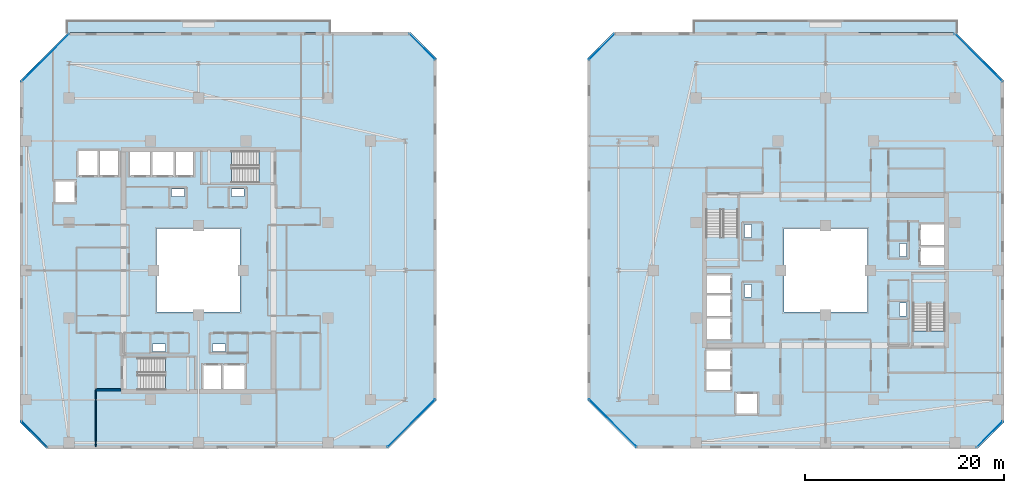
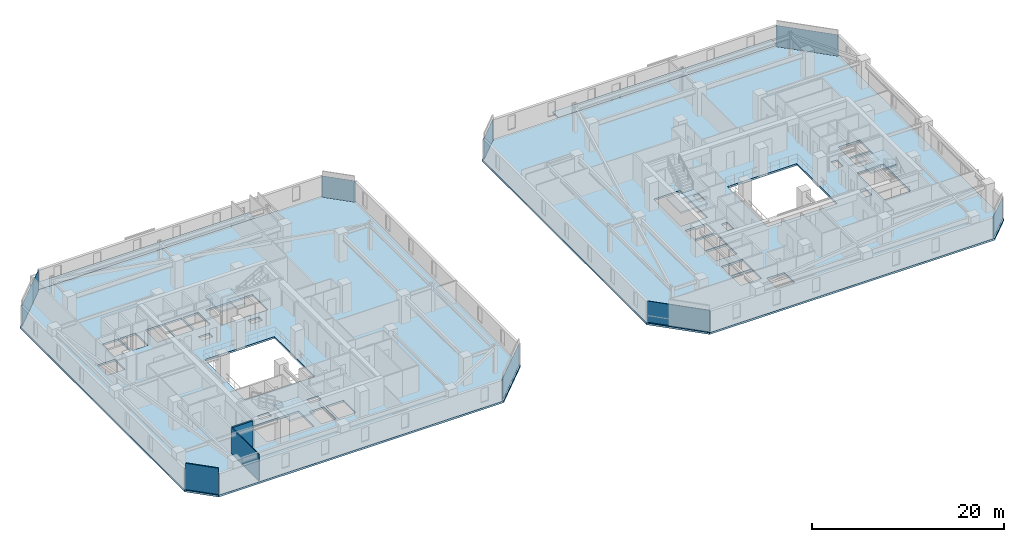
# One storey, part 18 of 33: 8 plates, 8 slabs, 3 walls, 12 elements without a shape of their own.
"""IFC4 building model written with IfcOpenShell, lengths in metres."""

from ifc_helpers import new_model, si_unit, direction, frame, frame_2d, origin, origin_2d, place, context, subcontext, project, spatial, polyline, rectangle, outline, extrude, material, layer, layer_set, type_object, element, aggregate, save


model = new_model("IFC4")

# Units and contexts
model_context = context("Model", 3, precision=1e-05, world=origin(), true_north=direction((0.0, 1.0)))
body_context = subcontext(model_context, "Body", "Model", "MODEL_VIEW")
ifc_project = project(units=[si_unit("LENGTHUNIT", "METRE"), si_unit("AREAUNIT", "SQUARE_METRE"), si_unit("VOLUMEUNIT", "CUBIC_METRE"), si_unit("PLANEANGLEUNIT", "RADIAN"), si_unit("MASSUNIT", "GRAM", prefix="KILO")], contexts=[model_context])

# Site, building, storey
site_placement = place(None, origin())
site = spatial("IfcSite", under=ifc_project, at=site_placement, CompositionType="ELEMENT")
building_placement = place(site_placement, origin())
building = spatial("IfcBuilding", under=site, at=building_placement, Name="Thornwick Lancets Civic Towers", CompositionType="ELEMENT")
storey_placement = place(building_placement, frame((0.0, 0.0, 192.89990234375)))
storey = spatial("IfcBuildingStorey", under=building, at=storey_placement, Name="L51", CompositionType="ELEMENT", Elevation=192.89990234375)

# Curtain wall, plate
ifc_material_1 = material(Name="Mid-zone chamfered-corner unitised glass curtain wall", Category="glass")
curtain_wall_type = type_object("IfcCurtainWallType", Name="CW_SYS_04", PredefinedType="NOTDEFINED", material=ifc_material_1)
curtain_wall_1_placement = place(storey_placement, origin())
curtain_wall_1 = element("IfcCurtainWall", 1, at=curtain_wall_1_placement, inside=storey, type_object=curtain_wall_type, Name="L51 Curtain Wall CW-L51-A-E1", PredefinedType="NOTDEFINED")
ifc_material_2 = material(Name="Low-e double glazing clear glass", Category="glass")
ifc_layer_1 = layer(ifc_material_2, 0.035888671875, Name="Low-e double glazing clear glass")
ifc_layer_set_1 = layer_set([ifc_layer_1], Name="Low-e double glazing clear glass")
plate_type = type_object("IfcPlateType", Name="CW_PNL_GLASS", PredefinedType="CURTAIN_PANEL", material=ifc_layer_set_1)
plate_1_placement = place(storey_placement, frame((46.8662109375, 11.6337890625, 0.0), z_axis=(0.0, 0.0, 1.0), x_axis=(0.707106781187, 0.707106781187, 0.0)))
plate_1 = element("IfcPlate", 2, at=plate_1_placement, type_object=plate_type, Name="CW-L51-A-E1 Panel 0", PredefinedType="CURTAIN_PANEL", context=body_context, shape_type="SweptSolid", body=[
    extrude(rectangle(XDim=6.759033203125, YDim=0.035888671875, at=origin_2d()), origin(), (0.0, 0.0, 1.0), 2.699951171875),
])
aggregate(curtain_wall_1, [plate_1])

curtain_wall_2_placement = place(storey_placement, origin())
curtain_wall_2 = element("IfcCurtainWall", 3, at=curtain_wall_2_placement, inside=storey, type_object=curtain_wall_type, Name="L51 Curtain Wall CW-L51-A-E3", PredefinedType="NOTDEFINED")
plate_2_placement = place(storey_placement, frame((47.972900390625, 49.472900390625, 0.0), z_axis=(0.0, 0.0, 1.0), x_axis=(-0.707106781187, 0.707106781187, 0.0)))
plate_2 = element("IfcPlate", 4, at=plate_2_placement, type_object=plate_type, Name="CW-L51-A-E3 Panel 0", PredefinedType="CURTAIN_PANEL", context=body_context, shape_type="SweptSolid", body=[
    extrude(rectangle(XDim=3.649169921875, YDim=0.035888671875, at=origin_2d()), origin(), (0.0, 0.0, 1.0), 2.699951171875),
])
aggregate(curtain_wall_2, [plate_2])

curtain_wall_3_placement = place(storey_placement, origin())
curtain_wall_3 = element("IfcCurtainWall", 5, at=curtain_wall_3_placement, inside=storey, type_object=curtain_wall_type, Name="L51 Curtain Wall CW-L51-A-E5", PredefinedType="NOTDEFINED")
plate_3_placement = place(storey_placement, frame((10.1337890625, 48.3662109375, 0.0), z_axis=(0.0, 0.0, 1.0), x_axis=(-0.707106781187, -0.707106781187, 0.0)))
plate_3 = element("IfcPlate", 6, at=plate_3_placement, type_object=plate_type, Name="CW-L51-A-E5 Panel 0", PredefinedType="CURTAIN_PANEL", context=body_context, shape_type="SweptSolid", body=[
    extrude(rectangle(XDim=6.759033203125, YDim=0.035888671875, at=origin_2d()), origin(), (0.0, 0.0, 1.0), 2.699951171875),
])
aggregate(curtain_wall_3, [plate_3])

curtain_wall_4_placement = place(storey_placement, origin())
curtain_wall_4 = element("IfcCurtainWall", 7, at=curtain_wall_4_placement, inside=storey, type_object=curtain_wall_type, Name="L51 Curtain Wall CW-L51-A-E7", PredefinedType="NOTDEFINED")
plate_4_placement = place(storey_placement, frame((9.027099609375, 10.527099609375, 0.0), z_axis=(0.0, 0.0, 1.0), x_axis=(0.707106781187, -0.707106781187, 0.0)))
plate_4 = element("IfcPlate", 8, at=plate_4_placement, type_object=plate_type, Name="CW-L51-A-E7 Panel 0", PredefinedType="CURTAIN_PANEL", context=body_context, shape_type="SweptSolid", body=[
    extrude(rectangle(XDim=3.649169921875, YDim=0.035888671875, at=origin_2d()), origin(), (0.0, 0.0, 1.0), 2.699951171875),
])
aggregate(curtain_wall_4, [plate_4])

curtain_wall_5_placement = place(storey_placement, origin())
curtain_wall_5 = element("IfcCurtainWall", 9, at=curtain_wall_5_placement, inside=storey, type_object=curtain_wall_type, Name="L51 Curtain Wall CW-L51-B-E1", PredefinedType="NOTDEFINED")
plate_5_placement = place(storey_placement, frame((104.972900390625, 10.527099609375, 0.0), z_axis=(0.0, 0.0, 1.0), x_axis=(0.707106781187, 0.707106781187, 0.0)))
plate_5 = element("IfcPlate", 10, at=plate_5_placement, type_object=plate_type, Name="CW-L51-B-E1 Panel 0", PredefinedType="CURTAIN_PANEL", context=body_context, shape_type="SweptSolid", body=[
    extrude(rectangle(XDim=3.649169921875, YDim=0.035888671875, at=origin_2d()), origin(), (0.0, 0.0, 1.0), 2.699951171875),
])
aggregate(curtain_wall_5, [plate_5])

curtain_wall_6_placement = place(storey_placement, origin())
curtain_wall_6 = element("IfcCurtainWall", 11, at=curtain_wall_6_placement, inside=storey, type_object=curtain_wall_type, Name="L51 Curtain Wall CW-L51-B-E3", PredefinedType="NOTDEFINED")
plate_6_placement = place(storey_placement, frame((103.8662109375, 48.3662109375, 0.0), z_axis=(0.0, 0.0, 1.0), x_axis=(-0.707106781187, 0.707106781187, 0.0)))
plate_6 = element("IfcPlate", 12, at=plate_6_placement, type_object=plate_type, Name="CW-L51-B-E3 Panel 0", PredefinedType="CURTAIN_PANEL", context=body_context, shape_type="SweptSolid", body=[
    extrude(rectangle(XDim=6.759033203125, YDim=0.035888671875, at=origin_2d()), origin(), (0.0, 0.0, 1.0), 2.699951171875),
])
aggregate(curtain_wall_6, [plate_6])

curtain_wall_7_placement = place(storey_placement, origin())
curtain_wall_7 = element("IfcCurtainWall", 13, at=curtain_wall_7_placement, inside=storey, type_object=curtain_wall_type, Name="L51 Curtain Wall CW-L51-B-E5", PredefinedType="NOTDEFINED")
plate_7_placement = place(storey_placement, frame((66.027099609375, 49.472900390625, 0.0), z_axis=(0.0, 0.0, 1.0), x_axis=(-0.707106781187, -0.707106781187, 0.0)))
plate_7 = element("IfcPlate", 14, at=plate_7_placement, type_object=plate_type, Name="CW-L51-B-E5 Panel 0", PredefinedType="CURTAIN_PANEL", context=body_context, shape_type="SweptSolid", body=[
    extrude(rectangle(XDim=3.649169921875, YDim=0.035888671875, at=origin_2d()), origin(), (0.0, 0.0, 1.0), 2.699951171875),
])
aggregate(curtain_wall_7, [plate_7])

curtain_wall_8_placement = place(storey_placement, origin())
curtain_wall_8 = element("IfcCurtainWall", 15, at=curtain_wall_8_placement, inside=storey, type_object=curtain_wall_type, Name="L51 Curtain Wall CW-L51-B-E7", PredefinedType="NOTDEFINED")
plate_8_placement = place(storey_placement, frame((67.1337890625, 11.6337890625, 0.0), z_axis=(0.0, 0.0, 1.0), x_axis=(0.707106781187, -0.707106781187, 0.0)))
plate_8 = element("IfcPlate", 16, at=plate_8_placement, type_object=plate_type, Name="CW-L51-B-E7 Panel 0", PredefinedType="CURTAIN_PANEL", context=body_context, shape_type="SweptSolid", body=[
    extrude(rectangle(XDim=6.759033203125, YDim=0.035888671875, at=origin_2d()), origin(), (0.0, 0.0, 1.0), 2.699951171875),
])
aggregate(curtain_wall_8, [plate_8])

# Slabs
ifc_material_3 = material(Name="Post-tensioned concrete C40/50", Category="concrete")
ifc_layer_2 = layer(ifc_material_3, 0.199951171875, Name="Post-tensioned concrete C40/50")
ifc_layer_set_2 = layer_set([ifc_layer_2], Name="Post-tensioned concrete C40/50")
slab_type_1 = type_object("IfcSlabType", Name="SLAB_BALCONY_200", PredefinedType="FLOOR", material=ifc_layer_set_2)
slab_1_placement = place(storey_placement, frame((0.0, 0.0, -0.199951171875)))
element("IfcSlab", 17, at=slab_1_placement, inside=storey, type_object=slab_type_1, Name="L51 Tower A Planted Balcony Slab N", PredefinedType="FLOOR", context=body_context, shape_type="SweptSolid", body=[
    extrude(outline(polyline([(12.300048828125, 50.89990234375), (38.699951171875, 50.89990234375), (38.699951171875, 52.14990234375), (12.300048828125, 52.14990234375), (12.300048828125, 50.89990234375)])), origin(), (0.0, 0.0, 1.0), 0.199951171875),
])
slab_2_placement = place(storey_placement, frame((0.0, 0.0, -0.199951171875)))
element("IfcSlab", 18, at=slab_2_placement, inside=storey, type_object=slab_type_1, Name="L51 Tower B Planted Balcony Slab N", PredefinedType="FLOOR", context=body_context, shape_type="SweptSolid", body=[
    extrude(outline(polyline([(75.300048828125, 50.89990234375), (101.699951171875, 50.89990234375), (101.699951171875, 52.14990234375), (75.300048828125, 52.14990234375), (75.300048828125, 50.89990234375)])), origin(), (0.0, 0.0, 1.0), 0.199951171875),
])

# Stair, slab
ifc_material_4 = material(Name="Concrete C40/50", Category="concrete")
stair_type = type_object("IfcStairType", Name="STAIR_DL_3600", PredefinedType="HALF_TURN_STAIR", material=ifc_material_4)
stair_1_placement = place(storey_placement, origin())
stair_1 = element("IfcStair", 19, at=stair_1_placement, inside=storey, type_object=stair_type, Name="L51 Tower A South Exit Stair ST-A1", PredefinedType="HALF_TURN_STAIR")
ifc_layer_3 = layer(ifc_material_4, 0.25, Name="Concrete C40/50")
ifc_layer_set_3 = layer_set([ifc_layer_3], Name="Concrete C40/50")
slab_type_2 = type_object("IfcSlabType", Name="SLAB_LANDING_200", PredefinedType="LANDING", material=ifc_layer_set_3)
slab_3_placement = place(storey_placement, frame((0.0, 0.0, 1.60302734375)))
slab_3 = element("IfcSlab", 20, at=slab_3_placement, type_object=slab_type_2, Name="ST-A1 landing 1", PredefinedType="LANDING", context=body_context, shape_type="SweptSolid", body=[
    extrude(outline(polyline([(22.169921875, 14.93994140625), (25.14990234375, 14.93994140625), (25.14990234375, 18.260009765625), (22.169921875, 18.260009765625), (22.169921875, 14.93994140625)])), origin(), (0.0, 0.0, 1.0), 0.199951171875),
])
aggregate(stair_1, [slab_3])

stair_2_placement = place(storey_placement, origin())
stair_2 = element("IfcStair", 21, at=stair_2_placement, inside=storey, type_object=stair_type, Name="L51 Tower A North Exit Stair ST-A2", PredefinedType="HALF_TURN_STAIR")
slab_4_placement = place(storey_placement, frame((0.0, 0.0, 1.60302734375)))
slab_4 = element("IfcSlab", 22, at=slab_4_placement, type_object=slab_type_2, Name="ST-A2 landing 1", PredefinedType="LANDING", context=body_context, shape_type="SweptSolid", body=[
    extrude(outline(polyline([(28.830078125, 39.06005859375), (25.85009765625, 39.06005859375), (25.85009765625, 35.739990234375), (28.830078125, 35.739990234375), (28.830078125, 39.06005859375)])), origin(), (0.0, 0.0, 1.0), 0.199951171875),
])
aggregate(stair_2, [slab_4])

stair_3_placement = place(storey_placement, origin())
stair_3 = element("IfcStair", 23, at=stair_3_placement, inside=storey, type_object=stair_type, Name="L51 Tower B East Exit Stair ST-B1", PredefinedType="HALF_TURN_STAIR")
slab_5_placement = place(storey_placement, frame((0.0, 0.0, 1.60302734375)))
slab_5 = element("IfcSlab", 24, at=slab_5_placement, type_object=slab_type_2, Name="ST-B1 landing 1", PredefinedType="LANDING", context=body_context, shape_type="SweptSolid", body=[
    extrude(outline(polyline([(100.56005859375, 23.669921875), (100.56005859375, 26.64990234375), (97.239990234375, 26.64990234375), (97.239990234375, 23.669921875), (100.56005859375, 23.669921875)])), origin(), (0.0, 0.0, 1.0), 0.199951171875),
])
aggregate(stair_3, [slab_5])

stair_4_placement = place(storey_placement, origin())
stair_4 = element("IfcStair", 25, at=stair_4_placement, inside=storey, type_object=stair_type, Name="L51 Tower B West Exit Stair ST-B2", PredefinedType="HALF_TURN_STAIR")
slab_6_placement = place(storey_placement, frame((0.0, 0.0, 1.60302734375)))
slab_6 = element("IfcSlab", 26, at=slab_6_placement, type_object=slab_type_2, Name="ST-B2 landing 1", PredefinedType="LANDING", context=body_context, shape_type="SweptSolid", body=[
    extrude(outline(polyline([(76.43994140625, 30.330078125), (76.43994140625, 27.35009765625), (79.760009765625, 27.35009765625), (79.760009765625, 30.330078125), (76.43994140625, 30.330078125)])), origin(), (0.0, 0.0, 1.0), 0.199951171875),
])
aggregate(stair_4, [slab_6])

# Slabs
ifc_layer_4 = layer(ifc_material_3, 0.239990234375, Name="Post-tensioned concrete C40/50")
ifc_layer_set_4 = layer_set([ifc_layer_4], Name="Post-tensioned concrete C40/50")
slab_type_3 = type_object("IfcSlabType", Name="SLAB_PT_240", PredefinedType="FLOOR", material=ifc_layer_set_4)
slab_7_placement = place(storey_placement, frame((0.0, 0.0, -0.239990234375)))
element("IfcSlab", 27, at=slab_7_placement, inside=storey, type_object=slab_type_3, Name="L51 Tower A Floor Slab", PredefinedType="FLOOR", context=body_context, shape_type="SweptSolid", body=[
    extrude(outline(polyline([(10.199951171875, 9.10009765625), (44.5849609375, 9.10009765625), (49.39990234375, 13.9150390625), (49.39990234375, 48.300048828125), (46.800048828125, 50.89990234375), (12.4150390625, 50.89990234375), (7.60009765625, 46.0849609375), (7.60009765625, 11.699951171875), (10.199951171875, 9.10009765625)]), holes=[polyline([(21.300048828125, 22.800048828125), (29.699951171875, 22.800048828125), (29.699951171875, 31.199951171875), (21.300048828125, 31.199951171875), (21.300048828125, 22.800048828125)]), polyline([(19.429931640625, 15.0), (25.10009765625, 15.0), (25.10009765625, 18.199951171875), (19.429931640625, 18.199951171875), (19.429931640625, 15.0)]), polyline([(31.570068359375, 39.0), (25.89990234375, 39.0), (25.89990234375, 35.800048828125), (31.570068359375, 35.800048828125), (31.570068359375, 39.0)]), polyline([(26.0, 15.0), (27.800048828125, 15.0), (27.800048828125, 17.550048828125), (26.0, 17.550048828125), (26.0, 15.0)]), polyline([(28.0, 15.0), (30.14990234375, 15.0), (30.14990234375, 17.550048828125), (28.0, 17.550048828125), (28.0, 15.0)]), polyline([(23.199951171875, 36.449951171875), (25.0, 36.449951171875), (25.0, 39.0), (23.199951171875, 39.0), (23.199951171875, 36.449951171875)]), polyline([(20.85009765625, 36.449951171875), (23.0, 36.449951171875), (23.0, 39.0), (20.85009765625, 39.0), (20.85009765625, 36.449951171875)]), polyline([(18.60009765625, 36.449951171875), (20.699951171875, 36.449951171875), (20.699951171875, 39.0), (18.60009765625, 39.0), (18.60009765625, 36.449951171875)]), polyline([(15.550048828125, 36.449951171875), (17.449951171875, 36.449951171875), (17.449951171875, 39.0), (15.550048828125, 39.0), (15.550048828125, 36.449951171875)]), polyline([(13.449951171875, 36.449951171875), (15.39990234375, 36.449951171875), (15.39990234375, 39.0), (13.449951171875, 39.0), (13.449951171875, 36.449951171875)]), polyline([(11.10009765625, 33.85009765625), (13.199951171875, 33.85009765625), (13.199951171875, 35.949951171875), (11.10009765625, 35.949951171875), (11.10009765625, 33.85009765625)]), polyline([(26.89990234375, 18.85009765625), (28.199951171875, 18.85009765625), (28.199951171875, 19.580078125), (26.89990234375, 19.580078125), (26.89990234375, 18.85009765625)]), polyline([(20.89990234375, 18.85009765625), (22.199951171875, 18.85009765625), (22.199951171875, 19.580078125), (20.89990234375, 19.580078125), (20.89990234375, 18.85009765625)]), polyline([(22.800048828125, 34.419921875), (24.10009765625, 34.419921875), (24.10009765625, 35.14990234375), (22.800048828125, 35.14990234375), (22.800048828125, 34.419921875)]), polyline([(28.800048828125, 34.419921875), (30.10009765625, 34.419921875), (30.10009765625, 35.14990234375), (28.800048828125, 35.14990234375), (28.800048828125, 34.419921875)])]), origin(), (0.0, 0.0, 1.0), 0.239990234375),
])
slab_8_placement = place(storey_placement, frame((0.0, 0.0, -0.239990234375)))
element("IfcSlab", 28, at=slab_8_placement, inside=storey, type_object=slab_type_3, Name="L51 Tower B Floor Slab", PredefinedType="FLOOR", context=body_context, shape_type="SweptSolid", body=[
    extrude(outline(polyline([(69.4150390625, 9.10009765625), (103.800048828125, 9.10009765625), (106.39990234375, 11.699951171875), (106.39990234375, 46.0849609375), (101.5849609375, 50.89990234375), (67.199951171875, 50.89990234375), (64.60009765625, 48.300048828125), (64.60009765625, 13.9150390625), (69.4150390625, 9.10009765625)]), holes=[polyline([(84.300048828125, 22.800048828125), (92.699951171875, 22.800048828125), (92.699951171875, 31.199951171875), (84.300048828125, 31.199951171875), (84.300048828125, 22.800048828125)]), polyline([(100.5, 20.929931640625), (100.5, 26.60009765625), (97.300048828125, 26.60009765625), (97.300048828125, 20.929931640625), (100.5, 20.929931640625)]), polyline([(76.5, 33.070068359375), (76.5, 27.39990234375), (79.699951171875, 27.39990234375), (79.699951171875, 33.070068359375), (76.5, 33.070068359375)]), polyline([(97.949951171875, 27.5), (100.5, 27.5), (100.5, 29.300048828125), (97.949951171875, 29.300048828125), (97.949951171875, 27.5)]), polyline([(97.949951171875, 29.5), (100.5, 29.5), (100.5, 31.64990234375), (97.949951171875, 31.64990234375), (97.949951171875, 29.5)]), polyline([(76.5, 24.699951171875), (79.050048828125, 24.699951171875), (79.050048828125, 26.5), (76.5, 26.5), (76.5, 24.699951171875)]), polyline([(76.5, 22.35009765625), (79.050048828125, 22.35009765625), (79.050048828125, 24.5), (76.5, 24.5), (76.5, 22.35009765625)]), polyline([(76.5, 20.10009765625), (79.050048828125, 20.10009765625), (79.050048828125, 22.199951171875), (76.5, 22.199951171875), (76.5, 20.10009765625)]), polyline([(76.5, 17.050048828125), (79.050048828125, 17.050048828125), (79.050048828125, 18.949951171875), (76.5, 18.949951171875), (76.5, 17.050048828125)]), polyline([(76.5, 14.949951171875), (79.050048828125, 14.949951171875), (79.050048828125, 16.89990234375), (76.5, 16.89990234375), (76.5, 14.949951171875)]), polyline([(79.550048828125, 12.60009765625), (81.64990234375, 12.60009765625), (81.64990234375, 14.699951171875), (79.550048828125, 14.699951171875), (79.550048828125, 12.60009765625)]), polyline([(95.919921875, 28.39990234375), (96.64990234375, 28.39990234375), (96.64990234375, 29.699951171875), (95.919921875, 29.699951171875), (95.919921875, 28.39990234375)]), polyline([(95.919921875, 22.39990234375), (96.64990234375, 22.39990234375), (96.64990234375, 23.699951171875), (95.919921875, 23.699951171875), (95.919921875, 22.39990234375)]), polyline([(80.35009765625, 24.300048828125), (81.080078125, 24.300048828125), (81.080078125, 25.60009765625), (80.35009765625, 25.60009765625), (80.35009765625, 24.300048828125)]), polyline([(80.35009765625, 30.300048828125), (81.080078125, 30.300048828125), (81.080078125, 31.60009765625), (80.35009765625, 31.60009765625), (80.35009765625, 30.300048828125)])]), origin(), (0.0, 0.0, 1.0), 0.239990234375),
])

# Walls
ifc_material_5 = material(Name="Concrete blockwork C40/50", Category="masonry")
ifc_layer_5 = layer(ifc_material_5, 0.199951171875, Name="Concrete blockwork C40/50")
ifc_layer_set_5 = layer_set([ifc_layer_5], Name="Concrete blockwork C40/50")
wall_type_1 = type_object("IfcWallType", Name="WALL_COMP_200", PredefinedType="STANDARD", material=ifc_layer_set_5)
wall_1_placement = place(storey_placement, frame((15.199951171875, 15.0, 0.0), z_axis=(0.0, 0.0, 1.0), x_axis=(1.0, 0.0, 0.0)))
element("IfcWall", 29, at=wall_1_placement, inside=storey, type_object=wall_type_1, Name="L51 Partition L51-A-FFLOB1 E1", PredefinedType="STANDARD", context=body_context, shape_type="SweptSolid", body=[
    extrude(rectangle(XDim=2.5, YDim=0.199951171875, at=frame_2d((1.25, 0.0))), origin(), (0.0, 0.0, 1.0), 3.340087890625),
])
ifc_material_6 = material(Name="Acoustic gypsum board partition")
ifc_layer_6 = layer(ifc_material_6, 0.1201171875, Name="Acoustic gypsum board partition")
ifc_layer_set_6 = layer_set([ifc_layer_6], Name="Acoustic gypsum board partition")
wall_type_2 = type_object("IfcWallType", Name="WALL_PART_120", PredefinedType="PARTITIONING", material=ifc_layer_set_6)
wall_2_placement = place(storey_placement, frame((15.199951171875, 15.0, 0.0), z_axis=(0.0, 0.0, 1.0), x_axis=(0.0, -1.0, 0.0)))
element("IfcWall", 30, at=wall_2_placement, inside=storey, type_object=wall_type_2, Name="L51 Partition L51-A-W1 E13", PredefinedType="PARTITIONING", context=body_context, shape_type="SweptSolid", body=[
    extrude(rectangle(XDim=5.719970703125, YDim=0.1201171875, at=frame_2d((2.85986328125, 0.0))), origin(), (0.0, 0.0, 1.0), 3.340087890625),
])
wall_3_placement = place(storey_placement, frame((10.274658203125, 9.280029296875, 0.0), z_axis=(0.0, 0.0, 1.0), x_axis=(-0.707106781187, 0.707106781187, 0.0)))
element("IfcWall", 31, at=wall_3_placement, inside=storey, type_object=wall_type_2, Name="L51 Partition L51-A-W1 E15", PredefinedType="PARTITIONING", context=body_context, shape_type="SweptSolid", body=[
    extrude(rectangle(XDim=3.52783203125, YDim=0.1201171875, at=frame_2d((1.763916015625, 0.0))), origin(), (0.0, 0.0, 1.0), 3.340087890625),
])

save(model, "model.ifc")
